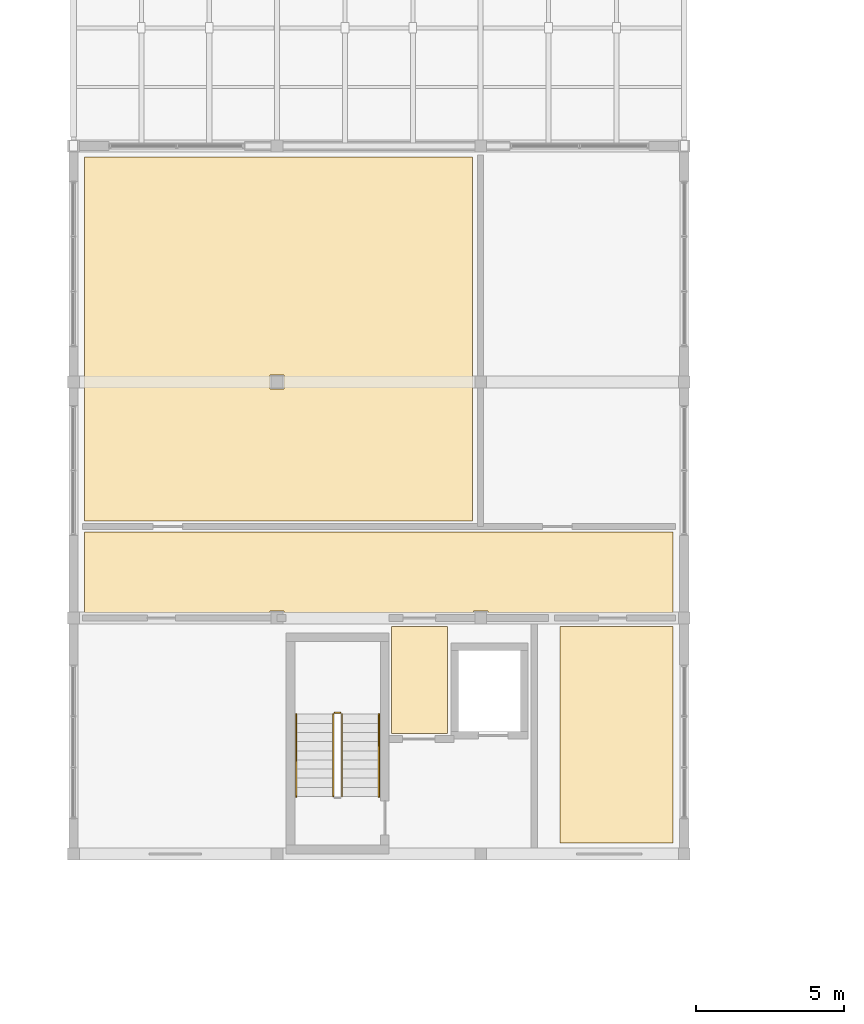
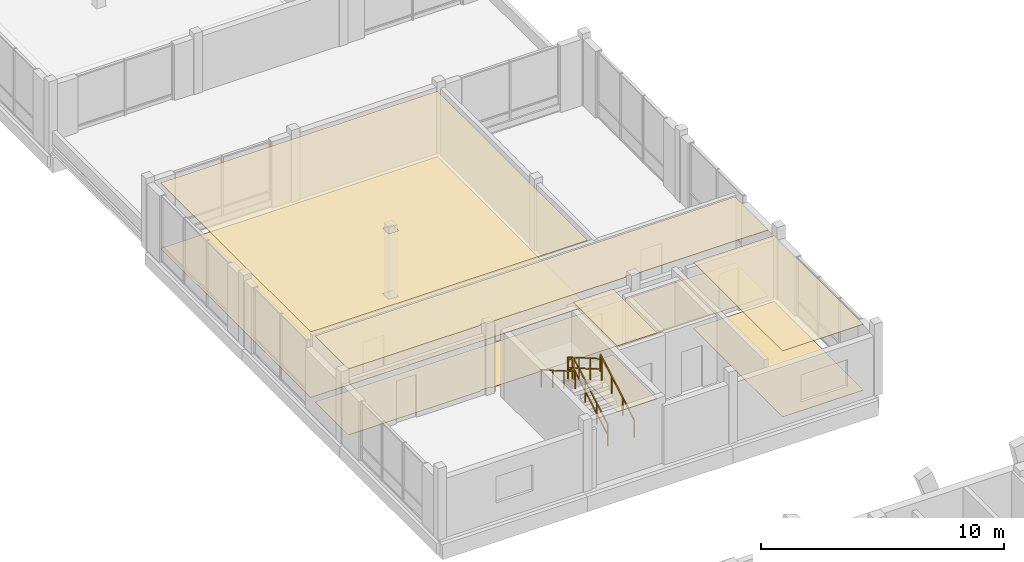
# One storey, part 172 of 189: 8 coverings, 5 railings.
"""IFC4 building model written with IfcOpenShell, lengths in metres."""

import ifcopenshell
import ifcopenshell.guid

model = None  # the IFC model being written
_history = None  # IfcOwnerHistory: only IFC2X3 demands one
_inside = {}  # id of a spatial element -> (the spatial element, [elements in it])
_under = {}  # id of a project, library or spatial element -> (it, [spatial elements below it])
_declared = {}  # id of a project -> (the project, [libraries it declares])
_typed = {}  # id of a type object -> (the type object, [elements of that type])
_made_of = {}  # id of a material, layer set ... -> (it, [elements and type objects made of it])


def new_model(schema):
    """Start an empty IFC model of exactly this schema.

    Asked for "IFC4X3", IfcOpenShell would pick the latest addendum, in which some entities
    have other attributes; the version numbers below select the first issue.
    IFC2X3 requires an IfcOwnerHistory on every rooted entity: one is made here for all.
    """
    global model, _history
    if schema == "IFC4X3":
        model = ifcopenshell.file(schema_version=(4, 3, 0, 0))
    else:
        model = ifcopenshell.file(schema=schema)
    _inside.clear()
    _under.clear()
    _declared.clear()
    _typed.clear()
    _made_of.clear()
    _history = None
    if model.schema == "IFC2X3":
        org = make("IfcOrganization", Name="unknown")
        user = make(
            "IfcPersonAndOrganization",
            ThePerson=make("IfcPerson", FamilyName="unknown"),
            TheOrganization=org,
        )
        app = make(
            "IfcApplication",
            ApplicationDeveloper=org,
            Version="unknown",
            ApplicationFullName="unknown",
            ApplicationIdentifier="unknown",
        )
        _history = make(
            "IfcOwnerHistory",
            OwningUser=user,
            OwningApplication=app,
            ChangeAction="ADDED",
            CreationDate=0,
        )
    return model


def make(cls, **values):
    """One entity of the class cls with the attributes given. An attribute that is None is left unset."""
    return model.create_entity(
        cls, **{name: value for name, value in values.items() if value is not None}
    )


def rooted(cls, **values):
    """An entity with a GlobalId (a new one), such as an element, a storey or a relation."""
    return make(cls, GlobalId=ifcopenshell.guid.new(), OwnerHistory=_history, **values)


def si_unit(unit_type, name, prefix=None):
    """IfcSIUnit, for example si_unit("LENGTHUNIT", "METRE", prefix="MILLI")."""
    return make("IfcSIUnit", UnitType=unit_type, Prefix=prefix, Name=name)


def assignment(units):
    """IfcUnitAssignment: the units of a project."""
    return None if units is None else make("IfcUnitAssignment", Units=units)


def point(xyz):
    """IfcCartesianPoint."""
    return None if xyz is None else make("IfcCartesianPoint", Coordinates=xyz)


def direction(xyz):
    """IfcDirection."""
    return None if xyz is None else make("IfcDirection", DirectionRatios=xyz)


def frame(location, z_axis=None, x_axis=None):
    """IfcAxis2Placement3D, a coordinate frame: its origin and axes. An axis left out is left unset."""
    return make(
        "IfcAxis2Placement3D",
        Location=point(location),
        Axis=direction(z_axis),
        RefDirection=direction(x_axis),
    )


def frame_2d(location, x_axis=None):
    """IfcAxis2Placement2D, a coordinate frame in the plane: its origin and x axis."""
    return make(
        "IfcAxis2Placement2D", Location=point(location), RefDirection=direction(x_axis)
    )


def origin():
    """The frame at (0, 0, 0) with its axes left unset."""
    return frame((0.0, 0.0, 0.0))


def origin_2d():
    """The frame at (0, 0) in the plane with its x axis left unset."""
    return frame_2d((0.0, 0.0))


def place(relative_to, where):
    """IfcLocalPlacement: puts the frame where relative to a parent placement (None: the world)."""
    return make(
        "IfcLocalPlacement", PlacementRelTo=relative_to, RelativePlacement=where
    )


def context(
    kind, dimensions, precision=None, world=None, true_north=None, identifier=None
):
    """IfcGeometricRepresentationContext, for example the 3D "Model" context."""
    return make(
        "IfcGeometricRepresentationContext",
        ContextIdentifier=identifier,
        ContextType=kind,
        CoordinateSpaceDimension=dimensions,
        Precision=precision,
        WorldCoordinateSystem=world,
        TrueNorth=true_north,
    )


def subcontext(parent, identifier, kind, view, scale=None):
    """IfcGeometricRepresentationSubContext, for example "Body" below "Model"."""
    return make(
        "IfcGeometricRepresentationSubContext",
        ContextIdentifier=identifier,
        ContextType=kind,
        ParentContext=parent,
        TargetScale=scale,
        TargetView=view,
    )


def project(units=None, contexts=None):
    """IfcProject with its units and contexts."""
    return rooted(
        "IfcProject",
        Name="project",
        RepresentationContexts=contexts,
        UnitsInContext=assignment(units),
    )


def spatial(cls, under=None, at=None, **own):
    """A site, building, storey or space (cls), placed at a placement, below another one or the project."""
    s = rooted(cls, ObjectPlacement=at, **own)
    if under is not None:
        _under.setdefault(under.id(), (under, []))[1].append(s)
    return s


def polyline(points):
    """IfcPolyline through the points."""
    return make("IfcPolyline", Points=[point(p) for p in points])


def profile(cls, at=None, kind="AREA", **sizes):
    """A parametric profile (cls). Its sizes go by their IFC names, for example OverallWidth=200.0."""
    return make(cls, ProfileType=kind, Position=at, **sizes)


def rectangle(**sizes):
    """IfcRectangleProfileDef."""
    return profile("IfcRectangleProfileDef", **sizes)


def outline(outer, holes=None, kind="AREA"):
    """IfcArbitraryClosedProfileDef: a profile drawn as a closed curve; with holes, ...WithVoids."""
    if holes is None:
        return make("IfcArbitraryClosedProfileDef", ProfileType=kind, OuterCurve=outer)
    return make(
        "IfcArbitraryProfileDefWithVoids",
        ProfileType=kind,
        OuterCurve=outer,
        InnerCurves=holes,
    )


def extrude(swept, where, along, depth):
    """IfcExtrudedAreaSolid: the profile swept, set in the frame where, extruded along a direction by depth."""
    return make(
        "IfcExtrudedAreaSolid",
        SweptArea=swept,
        Position=where,
        ExtrudedDirection=direction(along),
        Depth=depth,
    )


def shape(context_of_items, identifier, shape_type, items):
    """IfcShapeRepresentation: the items that make up one representation, for example the "Body"."""
    return make(
        "IfcShapeRepresentation",
        ContextOfItems=context_of_items,
        RepresentationIdentifier=identifier,
        RepresentationType=shape_type,
        Items=items,
    )


def material(Name=None, Category=None):
    """IfcMaterial."""
    return make("IfcMaterial", Name=Name, Category=Category)


def layer(
    of_material, thickness, ventilated=None, Name=None, Category=None, Priority=None
):
    """IfcMaterialLayer: one layer of a wall or slab, of a material (None: an air gap)."""
    return make(
        "IfcMaterialLayer",
        Material=of_material,
        LayerThickness=thickness,
        IsVentilated=ventilated,
        Name=Name,
        Category=Category,
        Priority=Priority,
    )


def layer_set(layers, Name=None):
    """IfcMaterialLayerSet."""
    return make("IfcMaterialLayerSet", MaterialLayers=layers, LayerSetName=Name)


def made_of(thing, what):
    """Note that an element or type object is made of a material, layer set ...; save() writes the relation."""
    if what is not None:
        _made_of.setdefault(what.id(), (what, []))[1].append(thing)
    return thing


def type_object(cls, material=None, **own):
    """A type object (cls), such as IfcWallType, which elements share."""
    return made_of(rooted(cls, **own), material)


def element(
    cls,
    number,
    at=None,
    inside=None,
    cuts=None,
    type_object=None,
    material=None,
    context=None,
    identifier="Body",
    shape_type=None,
    held_by="IfcProductDefinitionShape",
    body=None,
    shapes=None,
    **own,
):
    """One element of the class cls, such as IfcWall. Its Tag is "e" and its number.

    at: its placement. inside: the storey or other place that contains it. cuts: it is an
    opening in that element (IfcRelVoidsElement). A single representation is given by context,
    identifier, shape_type and body (its items); several are given by shapes. held_by: the class
    of the entity that holds the representations. save() writes the other relations.
    """
    e = rooted(cls, Tag="e%d" % number, ObjectPlacement=at, **own)
    if body is not None:
        shapes = [shape(context, identifier, shape_type, body)]
    if shapes is not None:
        e.Representation = make(held_by, Representations=shapes)
    if inside is not None:
        _inside.setdefault(inside.id(), (inside, []))[1].append(e)
    if cuts is not None:
        rooted(
            "IfcRelVoidsElement", RelatingBuildingElement=cuts, RelatedOpeningElement=e
        )
    if type_object is not None:
        _typed.setdefault(type_object.id(), (type_object, []))[1].append(e)
    return made_of(e, material)


def aggregate(whole, parts):
    """IfcRelAggregates: a whole, such as a stair, and the parts it consists of."""
    return rooted("IfcRelAggregates", RelatingObject=whole, RelatedObjects=parts)


def save(model, path):
    """Write the relations noted so far, then the file.

    IfcRelAggregates (storeys below a building ...), IfcRelContainedInSpatialStructure (elements
    in a storey), IfcRelDefinesByType, IfcRelAssociatesMaterial and IfcRelDeclares: one each for
    every whole, place, type object, material and project.
    """
    for whole, parts in _under.values():
        aggregate(whole, parts)
    for where, things in _inside.values():
        rooted(
            "IfcRelContainedInSpatialStructure",
            RelatedElements=things,
            RelatingStructure=where,
        )
    for kind, things in _typed.values():
        rooted("IfcRelDefinesByType", RelatedObjects=things, RelatingType=kind)
    for what, things in _made_of.values():
        rooted("IfcRelAssociatesMaterial", RelatedObjects=things, RelatingMaterial=what)
    for by, libraries in _declared.values():
        rooted("IfcRelDeclares", RelatingContext=by, RelatedDefinitions=libraries)
    model.write(path)


model = new_model("IFC4")

# Units and contexts
model_context = context("Model", 3, precision=1e-05, world=origin(), true_north=direction((0.0, 1.0)))
body_context = subcontext(model_context, "Body", "Model", "MODEL_VIEW")
ifc_project = project(units=[si_unit("LENGTHUNIT", "METRE"), si_unit("AREAUNIT", "SQUARE_METRE"), si_unit("VOLUMEUNIT", "CUBIC_METRE"), si_unit("PLANEANGLEUNIT", "RADIAN"), si_unit("MASSUNIT", "GRAM", prefix="KILO")], contexts=[model_context])

# Site, building, storey
site_placement = place(None, origin())
site = spatial("IfcSite", under=ifc_project, at=site_placement, CompositionType="ELEMENT")
building_placement = place(site_placement, origin())
building = spatial("IfcBuilding", under=site, at=building_placement, Name="Zavelmont Quarter", CompositionType="ELEMENT")
storey_placement = place(building_placement, frame((0.0, 0.0, 4.39990234375)))
storey = spatial("IfcBuildingStorey", under=building, at=storey_placement, Name="L01", CompositionType="ELEMENT", Elevation=4.39990234375)

# Coverings
ifc_material_1 = material(Name="Perforated acoustic gypsum board")
ifc_layer_1 = layer(ifc_material_1, 0.02490234375)
ifc_layer_set_1 = layer_set([ifc_layer_1], Name="Perforated acoustic gypsum board")
covering_type_1 = type_object("IfcCoveringType", Name="CV-CL01", PredefinedType="CEILING", material=ifc_layer_set_1)
covering_1_placement = place(storey_placement, frame((0.0, 0.0, 3.30517578125)))
element("IfcCovering", 1, at=covering_1_placement, inside=storey, type_object=covering_type_1, Name="L01 Lobby Vestibule acoustic ceiling", PredefinedType="CEILING", context=body_context, shape_type="SweptSolid", body=[
    extrude(outline(polyline([(10.780029296875, 37.719970703125), (12.669921875, 37.719970703125), (12.669921875, 34.080078125), (10.780029296875, 34.080078125), (10.780029296875, 37.719970703125)])), origin(), (0.0, 0.0, 1.0), 0.02490234375),
])
covering_2_placement = place(storey_placement, frame((0.0, 0.0, 3.30517578125)))
element("IfcCovering", 2, at=covering_2_placement, inside=storey, type_object=covering_type_1, Name="L01 South Studio Corridor acoustic ceiling", PredefinedType="CEILING", context=body_context, shape_type="SweptSolid", body=[
    extrude(outline(polyline([(0.3798828125, 40.919921875), (20.320068359375, 40.919921875), (20.320068359375, 38.179931640625), (14.0400390625, 38.179931640625), (14.0400390625, 38.239990234375), (13.56005859375, 38.239990234375), (13.56005859375, 38.179931640625), (7.139892578125, 38.179931640625), (7.139892578125, 38.239990234375), (6.659912109375, 38.239990234375), (6.659912109375, 38.179931640625), (0.3798828125, 38.179931640625), (0.3798828125, 40.919921875)])), origin(), (0.0, 0.0, 1.0), 0.02490234375),
])
covering_3_placement = place(storey_placement, frame((0.0, 0.0, 3.28515625)))
element("IfcCovering", 3, at=covering_3_placement, inside=storey, type_object=covering_type_1, Name="L01 Artisan Co-Op Studio acoustic ceiling", PredefinedType="CEILING", context=body_context, shape_type="SweptSolid", body=[
    extrude(outline(polyline([(0.3798828125, 53.6201171875), (13.52001953125, 53.6201171875), (13.52001953125, 41.280029296875), (0.3798828125, 41.280029296875), (0.3798828125, 53.6201171875)]), holes=[polyline([(7.139892578125, 46.239990234375), (6.659912109375, 46.239990234375), (6.659912109375, 45.760009765625), (7.139892578125, 45.760009765625), (7.139892578125, 46.239990234375)])]), origin(), (0.0, 0.0, 1.0), 0.02490234375),
])
covering_4_placement = place(storey_placement, frame((0.0, 0.0, 3.30517578125)))
element("IfcCovering", 4, at=covering_4_placement, inside=storey, type_object=covering_type_1, Name="L01 Studio Store acoustic ceiling", PredefinedType="CEILING", context=body_context, shape_type="SweptSolid", body=[
    extrude(outline(polyline([(16.47998046875, 37.719970703125), (20.320068359375, 37.719970703125), (20.320068359375, 30.3798828125), (16.47998046875, 30.3798828125), (16.47998046875, 37.719970703125)])), origin(), (0.0, 0.0, 1.0), 0.02490234375),
])
ifc_material_2 = material(Name="Engineered European oak parquet")
ifc_layer_2 = layer(ifc_material_2, 0.02197265625)
ifc_layer_set_2 = layer_set([ifc_layer_2], Name="Engineered European oak parquet")
covering_type_2 = type_object("IfcCoveringType", Name="CV-FL01", PredefinedType="FLOORING", material=ifc_layer_set_2)
covering_5_placement = place(storey_placement, origin())
element("IfcCovering", 5, at=covering_5_placement, inside=storey, type_object=covering_type_2, Name="L01 Lobby Vestibule floor finish", PredefinedType="FLOORING", context=body_context, shape_type="SweptSolid", body=[
    extrude(outline(polyline([(10.780029296875, 37.719970703125), (12.669921875, 37.719970703125), (12.669921875, 34.080078125), (10.780029296875, 34.080078125), (10.780029296875, 37.719970703125)])), origin(), (0.0, 0.0, 1.0), 0.022216796875),
])
covering_6_placement = place(storey_placement, origin())
element("IfcCovering", 6, at=covering_6_placement, inside=storey, type_object=covering_type_2, Name="L01 South Studio Corridor floor finish", PredefinedType="FLOORING", context=body_context, shape_type="SweptSolid", body=[
    extrude(outline(polyline([(0.3798828125, 40.919921875), (20.320068359375, 40.919921875), (20.320068359375, 38.179931640625), (14.0400390625, 38.179931640625), (14.0400390625, 38.239990234375), (13.56005859375, 38.239990234375), (13.56005859375, 38.179931640625), (7.139892578125, 38.179931640625), (7.139892578125, 38.239990234375), (6.659912109375, 38.239990234375), (6.659912109375, 38.179931640625), (0.3798828125, 38.179931640625), (0.3798828125, 40.919921875)])), origin(), (0.0, 0.0, 1.0), 0.022216796875),
])
covering_7_placement = place(storey_placement, origin())
element("IfcCovering", 7, at=covering_7_placement, inside=storey, type_object=covering_type_2, Name="L01 Artisan Co-Op Studio floor finish", PredefinedType="FLOORING", context=body_context, shape_type="SweptSolid", body=[
    extrude(outline(polyline([(0.3798828125, 53.6201171875), (13.52001953125, 53.6201171875), (13.52001953125, 41.280029296875), (0.3798828125, 41.280029296875), (0.3798828125, 53.6201171875)]), holes=[polyline([(7.139892578125, 46.239990234375), (6.659912109375, 46.239990234375), (6.659912109375, 45.760009765625), (7.139892578125, 45.760009765625), (7.139892578125, 46.239990234375)])]), origin(), (0.0, 0.0, 1.0), 0.022216796875),
])
covering_8_placement = place(storey_placement, origin())
element("IfcCovering", 8, at=covering_8_placement, inside=storey, type_object=covering_type_2, Name="L01 Studio Store floor finish", PredefinedType="FLOORING", context=body_context, shape_type="SweptSolid", body=[
    extrude(outline(polyline([(16.47998046875, 37.719970703125), (20.320068359375, 37.719970703125), (20.320068359375, 30.3798828125), (16.47998046875, 30.3798828125), (16.47998046875, 37.719970703125)])), origin(), (0.0, 0.0, 1.0), 0.022216796875),
])

# Railings
ifc_material_3 = material(Name="Powder-coated steel stair guardrail", Category="steel")
railing_type_1 = type_object("IfcRailingType", Name="RL-GRD1", PredefinedType="GUARDRAIL", material=ifc_material_3)
railing_1_placement = place(storey_placement, frame((9.10009765625, 31.949951171875, 0.18017578125)))
element("IfcRailing", 9, at=railing_1_placement, inside=storey, type_object=railing_type_1, Name="L01 ST13 stair guardrail 1", PredefinedType="GUARDRAIL", context=body_context, shape_type="SweptSolid", body=[
    extrude(rectangle(XDim=0.048095703125, YDim=0.048095703125, at=origin_2d()), frame((0.0, 0.0, 1.076171875), z_axis=(0.0, 0.864809086542, 0.502100830347), x_axis=(-1.0, 0.0, 0.0)), (0.0, 0.0, 1.0), 3.22607421875),
    extrude(rectangle(XDim=0.048095703125, YDim=0.048095703125, at=origin_2d()), frame((0.0, 0.0, 0.550048828125), z_axis=(0.0, 0.864809086542, 0.502100830347), x_axis=(-1.0, 0.0, 0.0)), (0.0, 0.0, 1.0), 3.22607421875),
    extrude(rectangle(XDim=0.0419921875, YDim=0.0419921875, at=origin_2d()), origin(), (0.0, 0.0, 1.0), 1.052001953125),
    extrude(rectangle(XDim=0.0419921875, YDim=0.0419921875, at=origin_2d()), frame((0.0, 0.929931640625, 0.5400390625)), (0.0, 0.0, 1.0), 1.052001953125),
    extrude(rectangle(XDim=0.0419921875, YDim=0.0419921875, at=origin_2d()), frame((0.0, 1.860107421875, 1.079833984375)), (0.0, 0.0, 1.0), 1.052001953125),
    extrude(rectangle(XDim=0.0419921875, YDim=0.0419921875, at=origin_2d()), frame((0.0, 2.7900390625, 1.619873046875)), (0.0, 0.0, 1.0), 1.052001953125),
])
railing_2_placement = place(storey_placement, frame((9.050048828125, 34.7900390625, 1.800048828125)))
element("IfcRailing", 10, at=railing_2_placement, inside=storey, type_object=railing_type_1, Name="L01 ST13 stair guardrail 2", PredefinedType="GUARDRAIL", context=body_context, shape_type="SweptSolid", body=[
    extrude(rectangle(XDim=0.048095703125, YDim=0.048095703125, at=origin_2d()), frame((0.0, 0.0, 1.076171875), z_axis=(-1.0, 0.0, 0.0), x_axis=(0.0, -1.0, 0.0)), (0.0, 0.0, 1.0), 0.199951171875),
    extrude(rectangle(XDim=0.048095703125, YDim=0.048095703125, at=origin_2d()), frame((0.0, 0.0, 0.550048828125), z_axis=(-1.0, 0.0, 0.0), x_axis=(0.0, -1.0, 0.0)), (0.0, 0.0, 1.0), 0.199951171875),
    extrude(rectangle(XDim=0.0419921875, YDim=0.0419921875, at=origin_2d()), origin(), (0.0, 0.0, 1.0), 1.052001953125),
    extrude(rectangle(XDim=0.0419921875, YDim=0.0419921875, at=origin_2d()), frame((-0.199951171875, 0.0, 0.0)), (0.0, 0.0, 1.0), 1.052001953125),
])
railing_3_placement = place(storey_placement, frame((8.800048828125, 34.739990234375, 1.97998046875)))
element("IfcRailing", 11, at=railing_3_placement, inside=storey, type_object=railing_type_1, Name="L01 ST13 stair guardrail 3", PredefinedType="GUARDRAIL", context=body_context, shape_type="SweptSolid", body=[
    extrude(rectangle(XDim=0.048095703125, YDim=0.048095703125, at=origin_2d()), frame((0.0, 0.0, 1.076171875), z_axis=(0.0, -0.86477622642, 0.502157423742), x_axis=(1.0, 0.0, 0.0)), (0.0, 0.0, 1.0), 3.226318359375),
    extrude(rectangle(XDim=0.048095703125, YDim=0.048095703125, at=origin_2d()), frame((0.0, 0.0, 0.550048828125), z_axis=(0.0, -0.86477622642, 0.502157423742), x_axis=(1.0, 0.0, 0.0)), (0.0, 0.0, 1.0), 3.226318359375),
    extrude(rectangle(XDim=0.0419921875, YDim=0.0419921875, at=origin_2d()), origin(), (0.0, 0.0, 1.0), 1.052001953125),
    extrude(rectangle(XDim=0.0419921875, YDim=0.0419921875, at=origin_2d()), frame((0.0, -0.929931640625, 0.5400390625)), (0.0, 0.0, 1.0), 1.052001953125),
    extrude(rectangle(XDim=0.0419921875, YDim=0.0419921875, at=origin_2d()), frame((0.0, -1.860107421875, 1.080078125)), (0.0, 0.0, 1.0), 1.052001953125),
    extrude(rectangle(XDim=0.0419921875, YDim=0.0419921875, at=origin_2d()), frame((0.0, -2.7900390625, 1.6201171875)), (0.0, 0.0, 1.0), 1.052001953125),
])
ifc_material_4 = material(Name="Brushed stainless-steel wall handrail", Category="steel")
railing_type_2 = type_object("IfcRailingType", Name="RL-HND1", PredefinedType="HANDRAIL", material=ifc_material_4)
railing_4_placement = place(storey_placement, frame((10.35009765625, 31.949951171875, 0.18017578125)))
element("IfcRailing", 12, at=railing_4_placement, inside=storey, type_object=railing_type_2, Name="L01 ST13 stair handrail 1", PredefinedType="HANDRAIL", context=body_context, shape_type="SweptSolid", body=[
    extrude(rectangle(XDim=0.048095703125, YDim=0.048095703125, at=origin_2d()), frame((0.0, 0.0, 0.8759765625), z_axis=(0.0, 0.864809086542, 0.502100830347), x_axis=(-1.0, 0.0, 0.0)), (0.0, 0.0, 1.0), 3.22607421875),
    extrude(rectangle(XDim=0.0419921875, YDim=0.0419921875, at=origin_2d()), origin(), (0.0, 0.0, 1.0), 0.851806640625),
    extrude(rectangle(XDim=0.0419921875, YDim=0.0419921875, at=origin_2d()), frame((0.0, 0.929931640625, 0.5400390625)), (0.0, 0.0, 1.0), 0.851806640625),
    extrude(rectangle(XDim=0.0419921875, YDim=0.0419921875, at=origin_2d()), frame((0.0, 1.860107421875, 1.079833984375)), (0.0, 0.0, 1.0), 0.851806640625),
    extrude(rectangle(XDim=0.0419921875, YDim=0.0419921875, at=origin_2d()), frame((0.0, 2.7900390625, 1.619873046875)), (0.0, 0.0, 1.0), 0.851806640625),
])
railing_5_placement = place(storey_placement, frame((7.550048828125, 34.739990234375, 1.97998046875)))
element("IfcRailing", 13, at=railing_5_placement, inside=storey, type_object=railing_type_2, Name="L01 ST13 stair handrail 2", PredefinedType="HANDRAIL", context=body_context, shape_type="SweptSolid", body=[
    extrude(rectangle(XDim=0.048095703125, YDim=0.048095703125, at=origin_2d()), frame((0.0, 0.0, 0.8759765625), z_axis=(0.0, -0.86477622642, 0.502157423742), x_axis=(1.0, 0.0, 0.0)), (0.0, 0.0, 1.0), 3.226318359375),
    extrude(rectangle(XDim=0.0419921875, YDim=0.0419921875, at=origin_2d()), origin(), (0.0, 0.0, 1.0), 0.851806640625),
    extrude(rectangle(XDim=0.0419921875, YDim=0.0419921875, at=origin_2d()), frame((0.0, -0.929931640625, 0.5400390625)), (0.0, 0.0, 1.0), 0.851806640625),
    extrude(rectangle(XDim=0.0419921875, YDim=0.0419921875, at=origin_2d()), frame((0.0, -1.860107421875, 1.080078125)), (0.0, 0.0, 1.0), 0.851806640625),
    extrude(rectangle(XDim=0.0419921875, YDim=0.0419921875, at=origin_2d()), frame((0.0, -2.7900390625, 1.6201171875)), (0.0, 0.0, 1.0), 0.851806640625),
])

save(model, "model.ifc")
